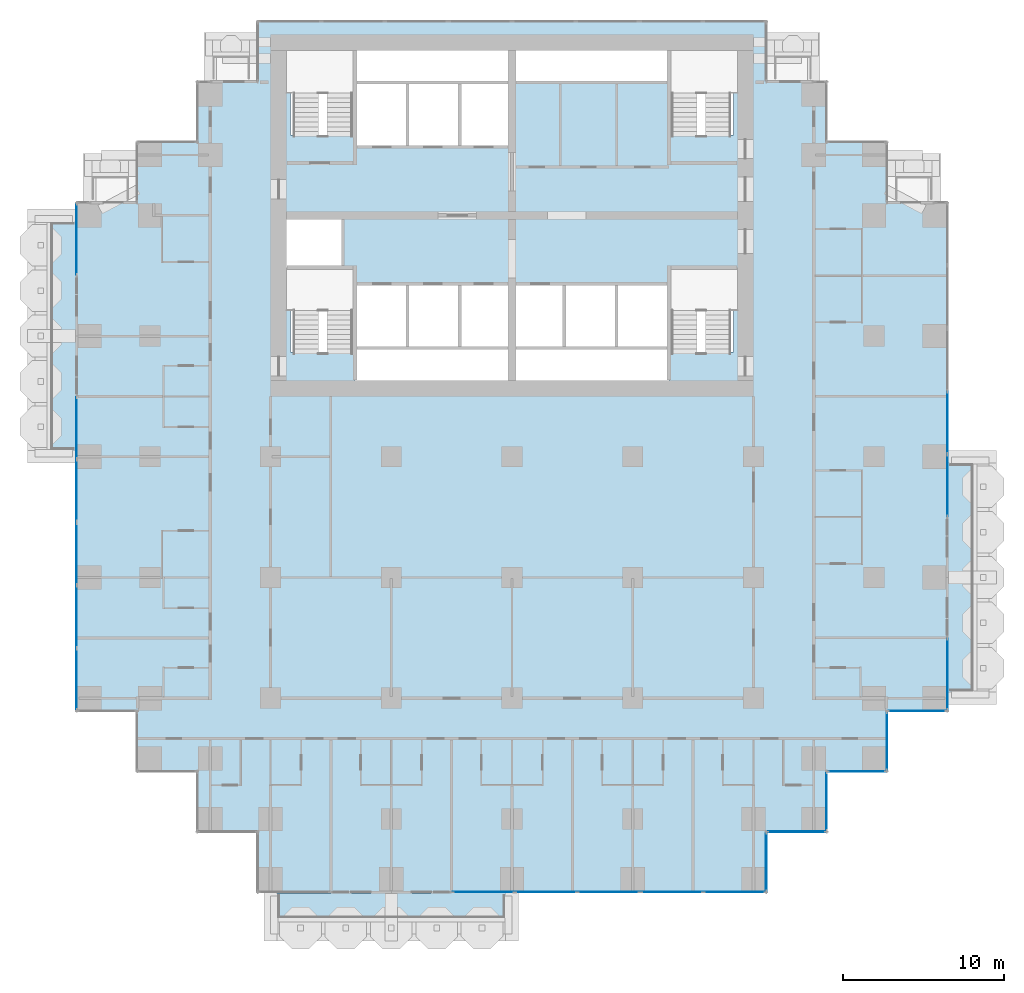
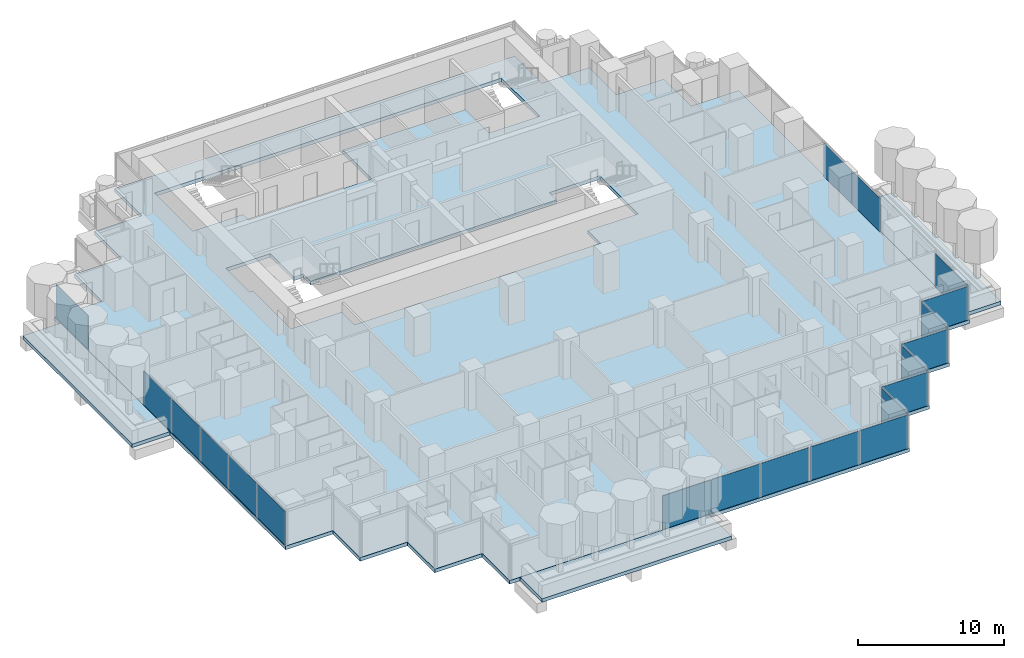
# One storey, part 8 of 19: 20 plates, 4 slabs, 13 elements without a shape of their own.
"""IFC4 building model written with IfcOpenShell, lengths in metres."""

from ifc_helpers import new_model, si_unit, direction, frame, origin, origin_2d, place, context, subcontext, project, spatial, polyline, rectangle, outline, extrude, material, layer, layer_set, type_object, element, aggregate, save


model = new_model("IFC4")

# Units and contexts
model_context = context("Model", 3, precision=1e-05, world=origin(), true_north=direction((0.0, 1.0)))
body_context = subcontext(model_context, "Body", "Model", "MODEL_VIEW")
ifc_project = project(units=[si_unit("LENGTHUNIT", "METRE"), si_unit("AREAUNIT", "SQUARE_METRE"), si_unit("VOLUMEUNIT", "CUBIC_METRE"), si_unit("PLANEANGLEUNIT", "RADIAN"), si_unit("MASSUNIT", "GRAM", prefix="KILO")], contexts=[model_context])

# Site, building, storey
site_placement = place(None, origin())
site = spatial("IfcSite", under=ifc_project, at=site_placement, CompositionType="ELEMENT")
building_placement = place(site_placement, origin())
building = spatial("IfcBuilding", under=site, at=building_placement, Name="Pilkhan Gate Tower", CompositionType="ELEMENT")
storey_placement = place(building_placement, frame((0.0, 0.0, 89.0)))
storey = spatial("IfcBuildingStorey", under=building, at=storey_placement, Name="L21", CompositionType="ELEMENT", Elevation=89.0)

# Slabs
ifc_material_1 = material(Name="Concrete C60/75", Category="concrete")
ifc_layer_1 = layer(ifc_material_1, 0.300048828125)
ifc_layer_set_1 = layer_set([ifc_layer_1], Name="Balcony tray slab TR300")
slab_type_1 = type_object("IfcSlabType", Name="Balcony tray slab TR300", PredefinedType="FLOOR", material=ifc_layer_set_1)
slab_1_placement = place(storey_placement, frame((0.0, 0.0, -0.300048828125)))
element("IfcSlab", 1, at=slab_1_placement, inside=storey, type_object=slab_type_1, Name="Balcony tray L21 S", PredefinedType="FLOOR", context=body_context, shape_type="SweptSolid", body=[
    extrude(outline(polyline([(75.0, 37.39990234375), (75.0, 40.39990234375), (60.0, 40.39990234375), (60.0, 37.39990234375), (75.0, 37.39990234375)])), origin(), (0.0, 0.0, 1.0), 0.300048828125),
])
slab_2_placement = place(storey_placement, frame((0.0, 0.0, -0.300048828125)))
element("IfcSlab", 2, at=slab_2_placement, inside=storey, type_object=slab_type_1, Name="Balcony tray L21 E", PredefinedType="FLOOR", context=body_context, shape_type="SweptSolid", body=[
    extrude(outline(polyline([(105.10009765625, 52.5), (105.10009765625, 67.5), (102.10009765625, 67.5), (102.10009765625, 52.5), (105.10009765625, 52.5)])), origin(), (0.0, 0.0, 1.0), 0.300048828125),
])
slab_3_placement = place(storey_placement, frame((0.0, 0.0, -0.300048828125)))
element("IfcSlab", 3, at=slab_3_placement, inside=storey, type_object=slab_type_1, Name="Balcony tray L21 W", PredefinedType="FLOOR", context=body_context, shape_type="SweptSolid", body=[
    extrude(outline(polyline([(47.89990234375, 67.5), (47.89990234375, 82.5), (44.89990234375, 82.5), (44.89990234375, 67.5), (47.89990234375, 67.5)])), origin(), (0.0, 0.0, 1.0), 0.300048828125),
])
ifc_material_2 = material(Name="Concrete C40/50", Category="concrete")
ifc_layer_2 = layer(ifc_material_2, 0.300048828125)
ifc_layer_set_2 = layer_set([ifc_layer_2], Name="Flat plate slab FP300")
slab_type_2 = type_object("IfcSlabType", Name="Flat plate slab FP300", PredefinedType="FLOOR", material=ifc_layer_set_2)
slab_4_placement = place(storey_placement, frame((0.0, 0.0, -0.300048828125)))
element("IfcSlab", 4, at=slab_4_placement, inside=storey, type_object=slab_type_2, Name="Floor slab L21", PredefinedType="FLOOR", context=body_context, shape_type="SweptSolid", body=[
    extrude(outline(polyline([(98.35009765625, 47.89990234375), (94.60009765625, 47.89990234375), (94.60009765625, 44.14990234375), (90.85009765625, 44.14990234375), (90.85009765625, 40.39990234375), (59.14990234375, 40.39990234375), (59.14990234375, 44.14990234375), (55.39990234375, 44.14990234375), (55.39990234375, 47.89990234375), (51.64990234375, 47.89990234375), (51.64990234375, 51.64990234375), (47.89990234375, 51.64990234375), (47.89990234375, 83.35009765625), (51.64990234375, 83.35009765625), (51.64990234375, 87.10009765625), (55.39990234375, 87.10009765625), (55.39990234375, 90.85009765625), (59.14990234375, 90.85009765625), (59.14990234375, 94.60009765625), (90.85009765625, 94.60009765625), (90.85009765625, 90.85009765625), (94.60009765625, 90.85009765625), (94.60009765625, 87.10009765625), (98.35009765625, 87.10009765625), (98.35009765625, 83.35009765625), (102.10009765625, 83.35009765625), (102.10009765625, 51.64990234375), (98.35009765625, 51.64990234375), (98.35009765625, 47.89990234375)]), holes=[polyline([(65.25, 87.5), (65.25, 86.75), (68.5, 86.75), (71.75, 86.75), (75.0, 86.75), (75.0, 90.75), (84.75, 90.75), (84.75, 87.5), (88.75, 87.5), (88.75, 92.75), (84.75, 92.75), (75.0, 92.75), (65.25, 92.75), (61.25, 92.75), (61.25, 87.5), (65.25, 87.5)]), polyline([(75.0, 72.25), (84.75, 72.25), (84.75, 74.0), (88.75, 74.0), (88.75, 79.25), (84.75, 79.25), (84.75, 78.25), (81.5, 78.25), (78.25, 78.25), (75.0, 78.25), (71.75, 78.25), (68.5, 78.25), (65.25, 78.25), (65.25, 79.25), (64.5, 79.25), (64.5, 82.5), (61.25, 82.5), (61.0, 82.5), (61.0, 79.25), (61.25, 79.25), (61.25, 74.0), (65.25, 74.0), (65.25, 72.25), (75.0, 72.25)])]), origin(), (0.0, 0.0, 1.0), 0.300048828125),
])

# Curtain wall, plate
ifc_material_3 = material(Name="Pale anodised aluminium, clear low-iron double glazing", Category="aluminium")
curtain_wall_type = type_object("IfcCurtainWallType", Name="Hotel unitised curtain wall CW-H", PredefinedType="USERDEFINED", material=ifc_material_3)
curtain_wall_1_placement = place(storey_placement, origin())
curtain_wall_1 = element("IfcCurtainWall", 5, at=curtain_wall_1_placement, inside=storey, type_object=curtain_wall_type, Name="Hotel unitised curtain wall CW-H L21 E", ObjectType="UNITISED CURTAIN WALL", PredefinedType="USERDEFINED")
ifc_material_4 = material(Name="Clear low-iron double glazing", Category="glass")
ifc_layer_3 = layer(ifc_material_4, 0.035888671875)
ifc_layer_set_3 = layer_set([ifc_layer_3], Name="Glass panel CW-H 36")
plate_type = type_object("IfcPlateType", Name="Glass panel CW-H 36", PredefinedType="CURTAIN_PANEL", material=ifc_layer_set_3)
plate_1_placement = place(storey_placement, frame((102.044921875, 53.9775390625, 0.0), z_axis=(0.0, 0.0, 1.0), x_axis=(0.0, 1.0, 0.0)))
plate_1 = element("IfcPlate", 6, at=plate_1_placement, type_object=plate_type, Name="CW-H panel 1", PredefinedType="CURTAIN_PANEL", context=body_context, shape_type="SweptSolid", body=[
    extrude(rectangle(XDim=4.4150390625, YDim=0.035888671875, at=origin_2d()), origin(), (0.0, 0.0, 1.0), 2.820068359375),
])
aggregate(curtain_wall_1, [plate_1])

# Curtain wall, plates
curtain_wall_2_placement = place(storey_placement, origin())
curtain_wall_2 = element("IfcCurtainWall", 7, at=curtain_wall_2_placement, inside=storey, type_object=curtain_wall_type, Name="Hotel unitised curtain wall CW-H L21 E", ObjectType="UNITISED CURTAIN WALL", PredefinedType="USERDEFINED")
plate_2_placement = place(storey_placement, frame((102.044921875, 65.720703125, 0.0), z_axis=(0.0, 0.0, 1.0), x_axis=(0.0, 1.0, 0.0)))
plate_2 = element("IfcPlate", 8, at=plate_2_placement, type_object=plate_type, Name="CW-H panel 1", PredefinedType="CURTAIN_PANEL", context=body_context, shape_type="SweptSolid", body=[
    extrude(rectangle(XDim=3.8115234375, YDim=0.035888671875, at=origin_2d()), origin(), (0.0, 0.0, 1.0), 2.820068359375),
])
plate_3_placement = place(storey_placement, frame((102.044921875, 69.613525390625, 0.0), z_axis=(0.0, 0.0, 1.0), x_axis=(0.0, 1.0, 0.0)))
plate_3 = element("IfcPlate", 9, at=plate_3_placement, type_object=plate_type, Name="CW-H panel 2", PredefinedType="CURTAIN_PANEL", context=body_context, shape_type="SweptSolid", body=[
    extrude(rectangle(XDim=3.843994140625, YDim=0.035888671875, at=origin_2d()), origin(), (0.0, 0.0, 1.0), 2.820068359375),
])
aggregate(curtain_wall_2, [plate_2, plate_3])

curtain_wall_3_placement = place(storey_placement, origin())
curtain_wall_3 = element("IfcCurtainWall", 10, at=curtain_wall_3_placement, inside=storey, type_object=curtain_wall_type, Name="Hotel unitised curtain wall CW-H L21 W", ObjectType="UNITISED CURTAIN WALL", PredefinedType="USERDEFINED")
plate_4_placement = place(storey_placement, frame((47.955078125, 53.67578125, 0.0), z_axis=(0.0, 0.0, 1.0), x_axis=(0.0, 1.0, 0.0)))
plate_4 = element("IfcPlate", 11, at=plate_4_placement, type_object=plate_type, Name="CW-H panel 1", PredefinedType="CURTAIN_PANEL", context=body_context, shape_type="SweptSolid", body=[
    extrude(rectangle(XDim=3.8115234375, YDim=0.035888671875, at=origin_2d()), origin(), (0.0, 0.0, 1.0), 2.820068359375),
])
plate_5_placement = place(storey_placement, frame((47.955078125, 57.568603515625, 0.0), z_axis=(0.0, 0.0, 1.0), x_axis=(0.0, 1.0, 0.0)))
plate_5 = element("IfcPlate", 12, at=plate_5_placement, type_object=plate_type, Name="CW-H panel 2", PredefinedType="CURTAIN_PANEL", context=body_context, shape_type="SweptSolid", body=[
    extrude(rectangle(XDim=3.843994140625, YDim=0.035888671875, at=origin_2d()), origin(), (0.0, 0.0, 1.0), 2.820068359375),
])
plate_6_placement = place(storey_placement, frame((47.955078125, 61.461181640625, 0.0), z_axis=(0.0, 0.0, 1.0), x_axis=(0.0, 1.0, 0.0)))
plate_6 = element("IfcPlate", 13, at=plate_6_placement, type_object=plate_type, Name="CW-H panel 3", PredefinedType="CURTAIN_PANEL", context=body_context, shape_type="SweptSolid", body=[
    extrude(rectangle(XDim=3.8115234375, YDim=0.035888671875, at=origin_2d()), origin(), (0.0, 0.0, 1.0), 2.820068359375),
])
aggregate(curtain_wall_3, [plate_4, plate_5, plate_6])

curtain_wall_4_placement = place(storey_placement, origin())
curtain_wall_4 = element("IfcCurtainWall", 14, at=curtain_wall_4_placement, inside=storey, type_object=curtain_wall_type, Name="Hotel unitised curtain wall CW-H L21 W", ObjectType="UNITISED CURTAIN WALL", PredefinedType="USERDEFINED")
plate_7_placement = place(storey_placement, frame((47.955078125, 65.40283203125, 0.0), z_axis=(0.0, 0.0, 1.0), x_axis=(0.0, 1.0, 0.0)))
plate_7 = element("IfcPlate", 15, at=plate_7_placement, type_object=plate_type, Name="CW-H panel 1", PredefinedType="CURTAIN_PANEL", context=body_context, shape_type="SweptSolid", body=[
    extrude(rectangle(XDim=3.8115234375, YDim=0.035888671875, at=origin_2d()), origin(), (0.0, 0.0, 1.0), 2.820068359375),
])
plate_8_placement = place(storey_placement, frame((47.955078125, 69.279296875, 0.0), z_axis=(0.0, 0.0, 1.0), x_axis=(0.0, 1.0, 0.0)))
plate_8 = element("IfcPlate", 16, at=plate_8_placement, type_object=plate_type, Name="CW-H panel 2", PredefinedType="CURTAIN_PANEL", context=body_context, shape_type="SweptSolid", body=[
    extrude(rectangle(XDim=3.8115234375, YDim=0.035888671875, at=origin_2d()), origin(), (0.0, 0.0, 1.0), 2.820068359375),
])
aggregate(curtain_wall_4, [plate_7, plate_8])

# Curtain wall, plate
curtain_wall_5_placement = place(storey_placement, origin())
curtain_wall_5 = element("IfcCurtainWall", 17, at=curtain_wall_5_placement, inside=storey, type_object=curtain_wall_type, Name="Hotel unitised curtain wall CW-H L21 W", ObjectType="UNITISED CURTAIN WALL", PredefinedType="USERDEFINED")
plate_9_placement = place(storey_placement, frame((47.955078125, 81.0224609375, 0.0), z_axis=(0.0, 0.0, 1.0), x_axis=(0.0, 1.0, 0.0)))
plate_9 = element("IfcPlate", 18, at=plate_9_placement, type_object=plate_type, Name="CW-H panel 1", PredefinedType="CURTAIN_PANEL", context=body_context, shape_type="SweptSolid", body=[
    extrude(rectangle(XDim=4.4150390625, YDim=0.035888671875, at=origin_2d()), origin(), (0.0, 0.0, 1.0), 2.820068359375),
])
aggregate(curtain_wall_5, [plate_9])

# Curtain wall, plates
curtain_wall_6_placement = place(storey_placement, origin())
curtain_wall_6 = element("IfcCurtainWall", 19, at=curtain_wall_6_placement, inside=storey, type_object=curtain_wall_type, Name="Hotel unitised curtain wall CW-H L21 S", ObjectType="UNITISED CURTAIN WALL", PredefinedType="USERDEFINED")
plate_10_placement = place(storey_placement, frame((73.220703125, 40.455078125, 0.0), z_axis=(0.0, 0.0, 1.0), x_axis=(1.0, 0.0, 0.0)))
plate_10 = element("IfcPlate", 20, at=plate_10_placement, type_object=plate_type, Name="CW-H panel 1", PredefinedType="CURTAIN_PANEL", context=body_context, shape_type="SweptSolid", body=[
    extrude(rectangle(XDim=3.8115234375, YDim=0.035888671875, at=origin_2d()), origin(), (0.0, 0.0, 1.0), 2.820068359375),
])
plate_11_placement = place(storey_placement, frame((77.113525390625, 40.455078125, 0.0), z_axis=(0.0, 0.0, 1.0), x_axis=(1.0, 0.0, 0.0)))
plate_11 = element("IfcPlate", 21, at=plate_11_placement, type_object=plate_type, Name="CW-H panel 2", PredefinedType="CURTAIN_PANEL", context=body_context, shape_type="SweptSolid", body=[
    extrude(rectangle(XDim=3.843994140625, YDim=0.035888671875, at=origin_2d()), origin(), (0.0, 0.0, 1.0), 2.820068359375),
])
plate_12_placement = place(storey_placement, frame((81.00634765625, 40.455078125, 0.0), z_axis=(0.0, 0.0, 1.0), x_axis=(1.0, 0.0, 0.0)))
plate_12 = element("IfcPlate", 22, at=plate_12_placement, type_object=plate_type, Name="CW-H panel 3", PredefinedType="CURTAIN_PANEL", context=body_context, shape_type="SweptSolid", body=[
    extrude(rectangle(XDim=3.8115234375, YDim=0.035888671875, at=origin_2d()), origin(), (0.0, 0.0, 1.0), 2.820068359375),
])
aggregate(curtain_wall_6, [plate_10, plate_11, plate_12])

curtain_wall_7_placement = place(storey_placement, origin())
curtain_wall_7 = element("IfcCurtainWall", 23, at=curtain_wall_7_placement, inside=storey, type_object=curtain_wall_type, Name="Hotel unitised curtain wall CW-H L21 S", ObjectType="UNITISED CURTAIN WALL", PredefinedType="USERDEFINED")
plate_13_placement = place(storey_placement, frame((84.94775390625, 40.455078125, 0.0), z_axis=(0.0, 0.0, 1.0), x_axis=(1.0, 0.0, 0.0)))
plate_13 = element("IfcPlate", 24, at=plate_13_placement, type_object=plate_type, Name="CW-H panel 1", PredefinedType="CURTAIN_PANEL", context=body_context, shape_type="SweptSolid", body=[
    extrude(rectangle(XDim=3.8115234375, YDim=0.035888671875, at=origin_2d()), origin(), (0.0, 0.0, 1.0), 2.820068359375),
])
plate_14_placement = place(storey_placement, frame((88.82421875, 40.455078125, 0.0), z_axis=(0.0, 0.0, 1.0), x_axis=(1.0, 0.0, 0.0)))
plate_14 = element("IfcPlate", 25, at=plate_14_placement, type_object=plate_type, Name="CW-H panel 2", PredefinedType="CURTAIN_PANEL", context=body_context, shape_type="SweptSolid", body=[
    extrude(rectangle(XDim=3.8115234375, YDim=0.035888671875, at=origin_2d()), origin(), (0.0, 0.0, 1.0), 2.820068359375),
])
aggregate(curtain_wall_7, [plate_13, plate_14])

# Curtain wall, plate
curtain_wall_8_placement = place(storey_placement, origin())
curtain_wall_8 = element("IfcCurtainWall", 26, at=curtain_wall_8_placement, inside=storey, type_object=curtain_wall_type, Name="Hotel unitised curtain wall CW-H L21 E", ObjectType="UNITISED CURTAIN WALL", PredefinedType="USERDEFINED")
plate_15_placement = place(storey_placement, frame((90.794921875, 42.330078125, 0.0), z_axis=(0.0, 0.0, 1.0), x_axis=(0.0, 1.0, 0.0)))
plate_15 = element("IfcPlate", 27, at=plate_15_placement, type_object=plate_type, Name="CW-H panel 1", PredefinedType="CURTAIN_PANEL", context=body_context, shape_type="SweptSolid", body=[
    extrude(rectangle(XDim=3.6201171875, YDim=0.035888671875, at=origin_2d()), origin(), (0.0, 0.0, 1.0), 2.820068359375),
])
aggregate(curtain_wall_8, [plate_15])

curtain_wall_9_placement = place(storey_placement, origin())
curtain_wall_9 = element("IfcCurtainWall", 28, at=curtain_wall_9_placement, inside=storey, type_object=curtain_wall_type, Name="Hotel unitised curtain wall CW-H L21 S", ObjectType="UNITISED CURTAIN WALL", PredefinedType="USERDEFINED")
plate_16_placement = place(storey_placement, frame((92.669921875, 44.205078125, 0.0), z_axis=(0.0, 0.0, 1.0), x_axis=(1.0, 0.0, 0.0)))
plate_16 = element("IfcPlate", 29, at=plate_16_placement, type_object=plate_type, Name="CW-H panel 1", PredefinedType="CURTAIN_PANEL", context=body_context, shape_type="SweptSolid", body=[
    extrude(rectangle(XDim=3.6201171875, YDim=0.035888671875, at=origin_2d()), origin(), (0.0, 0.0, 1.0), 2.820068359375),
])
aggregate(curtain_wall_9, [plate_16])

curtain_wall_10_placement = place(storey_placement, origin())
curtain_wall_10 = element("IfcCurtainWall", 30, at=curtain_wall_10_placement, inside=storey, type_object=curtain_wall_type, Name="Hotel unitised curtain wall CW-H L21 E", ObjectType="UNITISED CURTAIN WALL", PredefinedType="USERDEFINED")
plate_17_placement = place(storey_placement, frame((94.544921875, 46.080078125, 0.0), z_axis=(0.0, 0.0, 1.0), x_axis=(0.0, 1.0, 0.0)))
plate_17 = element("IfcPlate", 31, at=plate_17_placement, type_object=plate_type, Name="CW-H panel 1", PredefinedType="CURTAIN_PANEL", context=body_context, shape_type="SweptSolid", body=[
    extrude(rectangle(XDim=3.6201171875, YDim=0.035888671875, at=origin_2d()), origin(), (0.0, 0.0, 1.0), 2.820068359375),
])
aggregate(curtain_wall_10, [plate_17])

curtain_wall_11_placement = place(storey_placement, origin())
curtain_wall_11 = element("IfcCurtainWall", 32, at=curtain_wall_11_placement, inside=storey, type_object=curtain_wall_type, Name="Hotel unitised curtain wall CW-H L21 S", ObjectType="UNITISED CURTAIN WALL", PredefinedType="USERDEFINED")
plate_18_placement = place(storey_placement, frame((96.419921875, 47.955078125, 0.0), z_axis=(0.0, 0.0, 1.0), x_axis=(1.0, 0.0, 0.0)))
plate_18 = element("IfcPlate", 33, at=plate_18_placement, type_object=plate_type, Name="CW-H panel 1", PredefinedType="CURTAIN_PANEL", context=body_context, shape_type="SweptSolid", body=[
    extrude(rectangle(XDim=3.6201171875, YDim=0.035888671875, at=origin_2d()), origin(), (0.0, 0.0, 1.0), 2.820068359375),
])
aggregate(curtain_wall_11, [plate_18])

curtain_wall_12_placement = place(storey_placement, origin())
curtain_wall_12 = element("IfcCurtainWall", 34, at=curtain_wall_12_placement, inside=storey, type_object=curtain_wall_type, Name="Hotel unitised curtain wall CW-H L21 E", ObjectType="UNITISED CURTAIN WALL", PredefinedType="USERDEFINED")
plate_19_placement = place(storey_placement, frame((98.294921875, 49.830078125, 0.0), z_axis=(0.0, 0.0, 1.0), x_axis=(0.0, 1.0, 0.0)))
plate_19 = element("IfcPlate", 35, at=plate_19_placement, type_object=plate_type, Name="CW-H panel 1", PredefinedType="CURTAIN_PANEL", context=body_context, shape_type="SweptSolid", body=[
    extrude(rectangle(XDim=3.6201171875, YDim=0.035888671875, at=origin_2d()), origin(), (0.0, 0.0, 1.0), 2.820068359375),
])
aggregate(curtain_wall_12, [plate_19])

curtain_wall_13_placement = place(storey_placement, origin())
curtain_wall_13 = element("IfcCurtainWall", 36, at=curtain_wall_13_placement, inside=storey, type_object=curtain_wall_type, Name="Hotel unitised curtain wall CW-H L21 S", ObjectType="UNITISED CURTAIN WALL", PredefinedType="USERDEFINED")
plate_20_placement = place(storey_placement, frame((100.169921875, 51.705078125, 0.0), z_axis=(0.0, 0.0, 1.0), x_axis=(1.0, 0.0, 0.0)))
plate_20 = element("IfcPlate", 37, at=plate_20_placement, type_object=plate_type, Name="CW-H panel 1", PredefinedType="CURTAIN_PANEL", context=body_context, shape_type="SweptSolid", body=[
    extrude(rectangle(XDim=3.6201171875, YDim=0.035888671875, at=origin_2d()), origin(), (0.0, 0.0, 1.0), 2.820068359375),
])
aggregate(curtain_wall_13, [plate_20])

save(model, "model.ifc")
